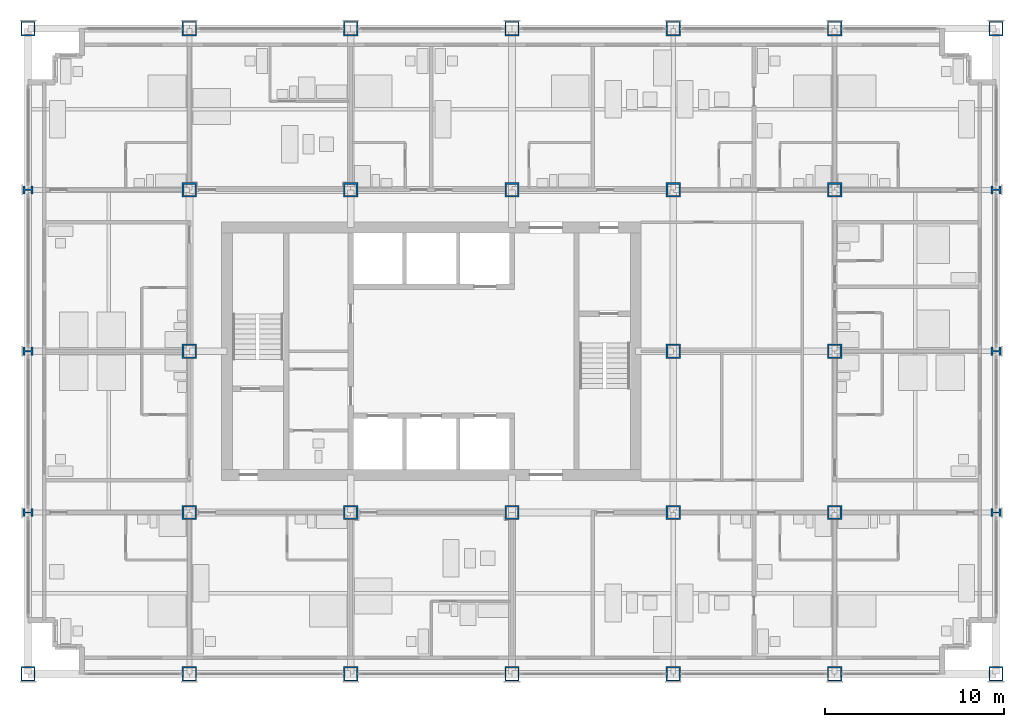
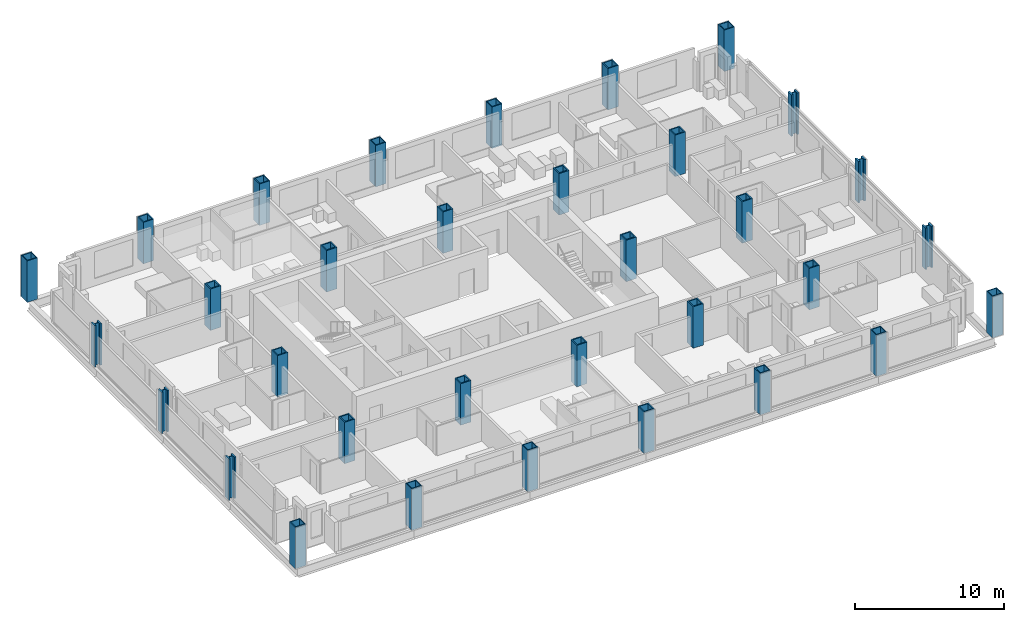
# One storey, part 1 of 18: 33 columns.
"""IFC4 building model written with IfcOpenShell, lengths in metres."""

from ifc_helpers import new_model, si_unit, direction, frame, origin, origin_2d, place, context, subcontext, project, spatial, hollow_rectangle, i_section, extrude, material, material_profile, profile_set, type_object, element, save


model = new_model("IFC4")

# Units and contexts
model_context = context("Model", 3, precision=1e-05, world=origin(), true_north=direction((0.0, 1.0)))
body_context = subcontext(model_context, "Body", "Model", "MODEL_VIEW")
ifc_project = project(units=[si_unit("LENGTHUNIT", "METRE"), si_unit("AREAUNIT", "SQUARE_METRE"), si_unit("VOLUMEUNIT", "CUBIC_METRE"), si_unit("PLANEANGLEUNIT", "RADIAN"), si_unit("MASSUNIT", "GRAM", prefix="KILO")], contexts=[model_context])

# Site, building, storey
site_placement = place(None, origin())
site = spatial("IfcSite", under=ifc_project, at=site_placement, CompositionType="ELEMENT")
building_placement = place(site_placement, origin())
building = spatial("IfcBuilding", under=site, at=building_placement, Name="Loomwork Tower", CompositionType="ELEMENT")
storey_placement = place(building_placement, frame((0.0, 0.0, 79.0)))
storey = spatial("IfcBuildingStorey", under=building, at=storey_placement, Name="L20", CompositionType="ELEMENT", Elevation=79.0)

# Columns
ifc_material_1 = material(Name="Steel ASTM A572 Grade 50 plate", Category="steel")
ifc_material_profile_1 = material_profile(ifc_material_1, hollow_rectangle(XDim=0.800048828125, YDim=0.800048828125, WallThickness=0.070068359375, at=origin_2d()), Name="BOX800x70")
ifc_profile_set_1 = profile_set([ifc_material_profile_1], Name="Steel ASTM A572 Grade 50 plate")
column_type_1 = type_object("IfcColumnType", Name="EXOSKELETON PIER BOX800x70", PredefinedType="COLUMN", material=ifc_profile_set_1)
for number, where, z_axis, x_axis, name in (
    (1, (0.0, 0.0, 0.0), (0.0, 0.0, 1.0), (1.0, 0.0, 0.0), "Exoskeleton Pier D/2 L20"),
    (2, (0.0, 36.0, 0.0), (0.0, 0.0, 1.0), (1.0, 0.0, 0.0), "Exoskeleton Pier H/2 L20"),
    (3, (9.0, 0.0, 0.0), (0.0, 0.0, 1.0), (1.0, 0.0, 0.0), "Exoskeleton Pier D/3 L20"),
    (4, (9.0, 36.0, 0.0), (0.0, 0.0, 1.0), (1.0, 0.0, 0.0), "Exoskeleton Pier H/3 L20"),
    (5, (18.0, 0.0, 0.0), (0.0, 0.0, 1.0), (1.0, 0.0, 0.0), "Exoskeleton Pier D/4 L20"),
    (6, (18.0, 36.0, 0.0), (0.0, 0.0, 1.0), (1.0, 0.0, 0.0), "Exoskeleton Pier H/4 L20"),
    (7, (27.0, 0.0, 0.0), (0.0, 0.0, 1.0), (1.0, 0.0, 0.0), "Exoskeleton Pier D/5 L20"),
    (8, (27.0, 36.0, 0.0), (0.0, 0.0, 1.0), (1.0, 0.0, 0.0), "Exoskeleton Pier H/5 L20"),
    (9, (36.0, 0.0, 0.0), (0.0, 0.0, 1.0), (1.0, 0.0, 0.0), "Exoskeleton Pier D/6 L20"),
    (10, (36.0, 36.0, 0.0), (0.0, 0.0, 1.0), (1.0, 0.0, 0.0), "Exoskeleton Pier H/6 L20"),
    (11, (45.0, 0.0, 0.0), (0.0, 0.0, 1.0), (1.0, 0.0, 0.0), "Exoskeleton Pier D/7 L20"),
    (12, (45.0, 36.0, 0.0), (0.0, 0.0, 1.0), (1.0, 0.0, 0.0), "Exoskeleton Pier H/7 L20"),
    (13, (54.0, 0.0, 0.0), (0.0, 0.0, 1.0), (1.0, 0.0, 0.0), "Exoskeleton Pier D/8 L20"),
    (14, (54.0, 36.0, 0.0), (0.0, 0.0, 1.0), (1.0, 0.0, 0.0), "Exoskeleton Pier H/8 L20"),
):
    element("IfcColumn", number, at=place(storey_placement, frame(where, z_axis=z_axis, x_axis=x_axis)), inside=storey, type_object=column_type_1, Name=name, PredefinedType="COLUMN", context=body_context, shape_type="SweptSolid", body=[
        extrude(hollow_rectangle(XDim=0.800048828125, YDim=0.800048828125, WallThickness=0.070068359375, at=origin_2d()), origin(), (0.0, 0.0, 1.0), 3.39990234375),
    ])
ifc_material_2 = material(Name="Steel ASTM A992", Category="steel")
ifc_material_profile_2 = material_profile(ifc_material_2, i_section(OverallWidth=0.45458984375, OverallDepth=0.56884765625, WebThickness=0.077880859375, FlangeThickness=0.124755859375, at=origin_2d()), Name="W14x730")
ifc_profile_set_2 = profile_set([ifc_material_profile_2], Name="Steel ASTM A992")
column_type_2 = type_object("IfcColumnType", Name="EXOSKELETON PIER W14x730", PredefinedType="COLUMN", material=ifc_profile_set_2)
for number, where, z_axis, x_axis, name in (
    (15, (0.0, 9.0, 0.0), (0.0, 0.0, 1.0), (0.0, 1.0, 0.0), "Exoskeleton Pier E/2 L20"),
    (16, (0.0, 18.0, 0.0), (0.0, 0.0, 1.0), (0.0, 1.0, 0.0), "Exoskeleton Pier F/2 L20"),
    (17, (0.0, 27.0, 0.0), (0.0, 0.0, 1.0), (0.0, 1.0, 0.0), "Exoskeleton Pier G/2 L20"),
    (18, (54.0, 9.0, 0.0), (0.0, 0.0, 1.0), (0.0, 1.0, 0.0), "Exoskeleton Pier E/8 L20"),
    (19, (54.0, 18.0, 0.0), (0.0, 0.0, 1.0), (0.0, 1.0, 0.0), "Exoskeleton Pier F/8 L20"),
    (20, (54.0, 27.0, 0.0), (0.0, 0.0, 1.0), (0.0, 1.0, 0.0), "Exoskeleton Pier G/8 L20"),
):
    element("IfcColumn", number, at=place(storey_placement, frame(where, z_axis=z_axis, x_axis=x_axis)), inside=storey, type_object=column_type_2, Name=name, PredefinedType="COLUMN", context=body_context, shape_type="SweptSolid", body=[
        extrude(i_section(OverallWidth=0.45458984375, OverallDepth=0.56884765625, WebThickness=0.077880859375, FlangeThickness=0.124755859375, at=origin_2d()), origin(), (0.0, 0.0, 1.0), 3.39990234375),
    ])
ifc_material_3 = material(Name="Steel ASTM A572 Grade 50 plate", Category="steel")
ifc_material_profile_3 = material_profile(ifc_material_3, hollow_rectangle(XDim=0.800048828125, YDim=0.800048828125, WallThickness=0.090087890625, at=origin_2d()), Name="BOX800x90")
ifc_profile_set_3 = profile_set([ifc_material_profile_3], Name="Steel ASTM A572 Grade 50 plate")
column_type_3 = type_object("IfcColumnType", Name="TOWER COLUMN BOX800x90", PredefinedType="COLUMN", material=ifc_profile_set_3)
for number, where, z_axis, x_axis, name in (
    (21, (9.0, 9.0, 0.0), (0.0, 0.0, 1.0), (1.0, 0.0, 0.0), "Tower Column E/3 L20"),
    (22, (9.0, 18.0, 0.0), (0.0, 0.0, 1.0), (1.0, 0.0, 0.0), "Tower Column F/3 L20"),
    (23, (9.0, 27.0, 0.0), (0.0, 0.0, 1.0), (1.0, 0.0, 0.0), "Tower Column G/3 L20"),
    (24, (18.0, 9.0, 0.0), (0.0, 0.0, 1.0), (1.0, 0.0, 0.0), "Tower Column E/4 L20"),
    (25, (18.0, 27.0, 0.0), (0.0, 0.0, 1.0), (1.0, 0.0, 0.0), "Tower Column G/4 L20"),
    (26, (27.0, 9.0, 0.0), (0.0, 0.0, 1.0), (1.0, 0.0, 0.0), "Tower Column E/5 L20"),
    (27, (27.0, 27.0, 0.0), (0.0, 0.0, 1.0), (1.0, 0.0, 0.0), "Tower Column G/5 L20"),
    (28, (36.0, 9.0, 0.0), (0.0, 0.0, 1.0), (0.0, 1.0, 0.0), "Tower Column E/6 L20"),
    (29, (36.0, 18.0, 0.0), (0.0, 0.0, 1.0), (0.0, 1.0, 0.0), "Tower Column F/6 L20"),
    (30, (36.0, 27.0, 0.0), (0.0, 0.0, 1.0), (1.0, 0.0, 0.0), "Tower Column G/6 L20"),
    (31, (45.0, 9.0, 0.0), (0.0, 0.0, 1.0), (0.0, 1.0, 0.0), "Tower Column E/7 L20"),
    (32, (45.0, 18.0, 0.0), (0.0, 0.0, 1.0), (0.0, 1.0, 0.0), "Tower Column F/7 L20"),
    (33, (45.0, 27.0, 0.0), (0.0, 0.0, 1.0), (0.0, 1.0, 0.0), "Tower Column G/7 L20"),
):
    element("IfcColumn", number, at=place(storey_placement, frame(where, z_axis=z_axis, x_axis=x_axis)), inside=storey, type_object=column_type_3, Name=name, PredefinedType="COLUMN", context=body_context, shape_type="SweptSolid", body=[
        extrude(hollow_rectangle(XDim=0.800048828125, YDim=0.800048828125, WallThickness=0.090087890625, at=origin_2d()), origin(), (0.0, 0.0, 1.0), 3.39990234375),
    ])

save(model, "model.ifc")
